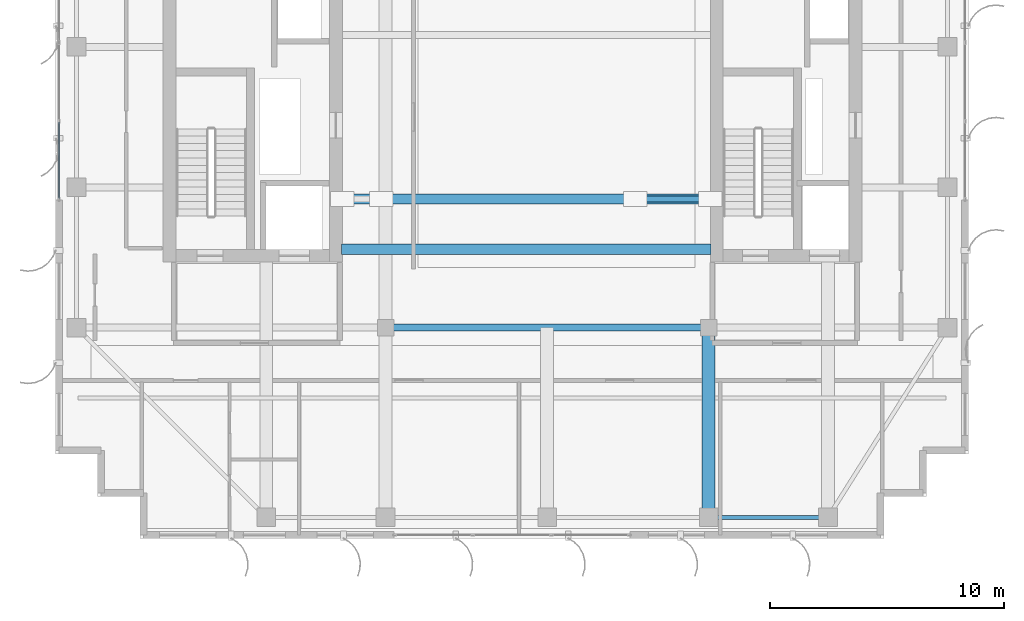
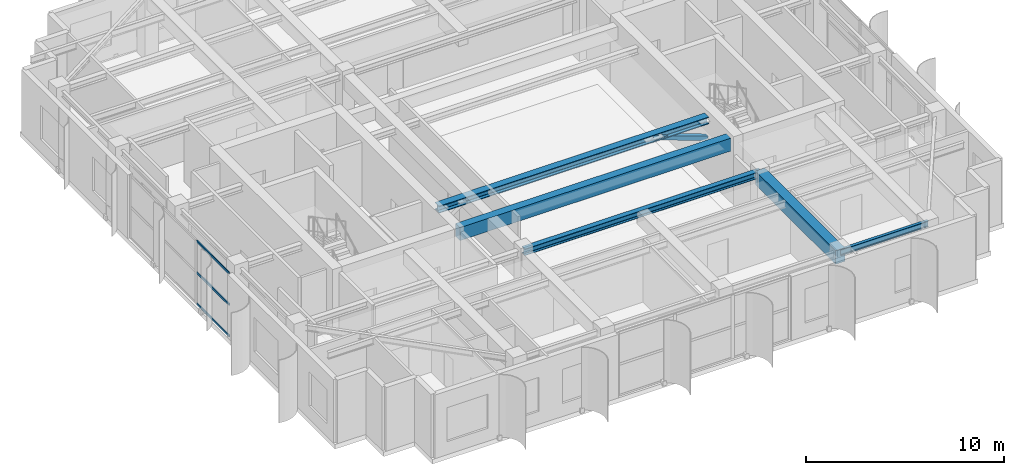
# One storey, part 7 of 26: 5 members, 4 beams, 1 element without a shape of its own.
"""IFC4 building model written with IfcOpenShell, lengths in metres."""

from ifc_helpers import new_model, si_unit, direction, frame, origin, origin_2d, place, context, subcontext, project, spatial, rectangle, hollow_rectangle, i_section, extrude, source, transform, mapped, material, layer, layer_set, material_profile, profile_set, type_object, element, aggregate, save


model = new_model("IFC4")

# Units and contexts
model_context = context("Model", 3, precision=1e-05, world=origin(), true_north=direction((0.0, 1.0)))
body_context = subcontext(model_context, "Body", "Model", "MODEL_VIEW")
ifc_project = project(units=[si_unit("LENGTHUNIT", "METRE"), si_unit("AREAUNIT", "SQUARE_METRE"), si_unit("VOLUMEUNIT", "CUBIC_METRE"), si_unit("PLANEANGLEUNIT", "RADIAN"), si_unit("MASSUNIT", "GRAM", prefix="KILO")], contexts=[model_context])

# Site, building, storey
site_placement = place(None, origin())
site = spatial("IfcSite", under=ifc_project, at=site_placement, CompositionType="ELEMENT")
building_placement = place(site_placement, origin())
building = spatial("IfcBuilding", under=site, at=building_placement, Name="Khoralis Quay Care Tower", CompositionType="ELEMENT")
storey_placement = place(building_placement, frame((0.0, 0.0, 289.5)))
storey = spatial("IfcBuildingStorey", under=building, at=storey_placement, Name="L76", CompositionType="ELEMENT", Elevation=289.5)

# Beams
ifc_material_1 = material(Name="Concrete C50/60", Category="concrete")
ifc_material_profile_1 = material_profile(ifc_material_1, rectangle(XDim=0.449951171875, YDim=0.800048828125, at=origin_2d()), Name="Concrete C50/60")
ifc_profile_set_1 = profile_set([ifc_material_profile_1], Name="Concrete C50/60")
beam_type_1 = type_object("IfcBeamType", Name="CB-RC450X800", PredefinedType="LINTEL", material=ifc_profile_set_1)
shared_shape_1 = source(origin(), body_context, "Body", "SweptSolid", [
    extrude(rectangle(XDim=0.449951171875, YDim=0.800048828125, at=origin_2d()), origin(), (0.0, 0.0, 1.0), 15.780029296875),
])
beam_1_placement = place(storey_placement, frame((15.219970703125, 15.35009765625, 3.52001953125), z_axis=(1.0, 0.0, 0.0), x_axis=(0.0, 1.0, 0.0)))
element("IfcBeam", 1, at=beam_1_placement, inside=storey, type_object=beam_type_1, Name="L76 South Core Coupling Lintel", PredefinedType="LINTEL", context=body_context, shape_type="MappedRepresentation", body=[
    mapped(shared_shape_1, transform((0.0, 0.0, 0.0), scale=1.0)),
])
ifc_material_2 = material(Name="Steel S355", Category="steel")
ifc_material_profile_2 = material_profile(ifc_material_2, i_section(OverallWidth=0.169921875, OverallDepth=0.360107421875, WebThickness=0.008056640625, FlangeThickness=0.0126953125, FilletRadius=0.01806640625, at=origin_2d()), Name="Steel S355")
ifc_profile_set_2 = profile_set([ifc_material_profile_2], Name="Steel S355")
beam_type_2 = type_object("IfcBeamType", Name="BM-IPE360", PredefinedType="SPANDREL", material=ifc_profile_set_2)
shared_shape_2 = source(origin(), body_context, "Body", "SweptSolid", [
    extrude(i_section(OverallWidth=0.169921875, OverallDepth=0.360107421875, WebThickness=0.008056640625, FlangeThickness=0.0126953125, FilletRadius=0.01806640625, at=origin_2d()), origin(), (0.0, 0.0, 1.0), 5.10009765625),
])
beam_2_placement = place(storey_placement, frame((30.89990234375, 3.89990234375, 3.739990234375), z_axis=(1.0, 0.0, 0.0), x_axis=(0.0, 1.0, 0.0)))
element("IfcBeam", 2, at=beam_2_placement, inside=storey, type_object=beam_type_2, Name="BM-TSP-L76-04", PredefinedType="SPANDREL", context=body_context, shape_type="MappedRepresentation", body=[
    mapped(shared_shape_2, transform((0.0, 0.0, 0.0), scale=1.0)),
])
ifc_material_profile_3 = material_profile(ifc_material_1, rectangle(XDim=0.550048828125, YDim=0.85009765625, at=origin_2d()), Name="Concrete C50/60")
ifc_profile_set_3 = profile_set([ifc_material_profile_3], Name="Concrete C50/60")
beam_type_3 = type_object("IfcBeamType", Name="BM-RC550X850", PredefinedType="BEAM", material=ifc_profile_set_3)
shared_shape_3 = source(origin(), body_context, "Body", "SweptSolid", [
    extrude(rectangle(XDim=0.550048828125, YDim=0.85009765625, at=origin_2d()), origin(), (0.0, 0.0, 1.0), 8.10009765625),
])
beam_3_placement = place(storey_placement, frame((30.89990234375, 3.89990234375, 3.4951171875), z_axis=(0.0, 1.0, 0.0), x_axis=(-1.0, 0.0, 0.0)))
element("IfcBeam", 3, at=beam_3_placement, inside=storey, type_object=beam_type_3, Name="BM-TGYS-L76-309", PredefinedType="BEAM", context=body_context, shape_type="MappedRepresentation", body=[
    mapped(shared_shape_3, transform((0.0, 0.0, 0.0), scale=1.0)),
])
ifc_material_profile_4 = material_profile(ifc_material_2, i_section(OverallWidth=0.300048828125, OverallDepth=0.39990234375, WebThickness=0.013427734375, FlangeThickness=0.02392578125, FilletRadius=0.027099609375, at=origin_2d()), Name="Steel S355")
ifc_profile_set_4 = profile_set([ifc_material_profile_4], Name="Steel S355")
beam_type_4 = type_object("IfcBeamType", Name="BM-HEB400", PredefinedType="BEAM", material=ifc_profile_set_4)
shared_shape_4 = source(origin(), body_context, "Body", "SweptSolid", [
    extrude(i_section(OverallWidth=0.300048828125, OverallDepth=0.39990234375, WebThickness=0.013427734375, FlangeThickness=0.02392578125, FilletRadius=0.027099609375, at=origin_2d()), origin(), (0.0, 0.0, 1.0), 13.7998046875),
])
beam_4_placement = place(storey_placement, frame((17.10009765625, 12.0, 3.719970703125), z_axis=(1.0, 0.0, 0.0), x_axis=(0.0, 1.0, 0.0)))
element("IfcBeam", 4, at=beam_4_placement, inside=storey, type_object=beam_type_4, Name="BM-TGCC-L76-120", PredefinedType="BEAM", context=body_context, shape_type="MappedRepresentation", body=[
    mapped(shared_shape_4, transform((0.0, 0.0, 0.0), scale=1.0)),
])

# Members
ifc_material_3 = material(Name="Steel S460", Category="steel")
ifc_material_profile_5 = material_profile(ifc_material_3, i_section(OverallWidth=0.412109375, OverallDepth=0.43505859375, WebThickness=0.030029296875, FlangeThickness=0.0419921875, FilletRadius=0.014892578125, at=origin_2d()), Name="Steel S460")
ifc_profile_set_5 = profile_set([ifc_material_profile_5], Name="Steel S460")
member_type_1 = type_object("IfcMemberType", Name="CH-HD400X463", PredefinedType="CHORD", material=ifc_profile_set_5)
shared_shape_5 = source(origin(), body_context, "Body", "SweptSolid", [
    extrude(i_section(OverallWidth=0.412109375, OverallDepth=0.43505859375, WebThickness=0.030029296875, FlangeThickness=0.0419921875, FilletRadius=0.014892578125, at=origin_2d()), origin(), (0.0, 0.0, 1.0), 15.723876953125),
])
member_1_placement = place(storey_placement, frame((15.248046875, 17.5, 3.699951171875), z_axis=(1.0, 0.0, 0.0), x_axis=(0.0, 1.0, 0.0)))
element("IfcMember", 5, at=member_1_placement, inside=storey, type_object=member_type_1, Name="L76 Sky Pool Space Truss Chord 1", PredefinedType="CHORD", context=body_context, shape_type="MappedRepresentation", body=[
    mapped(shared_shape_5, transform((0.0, 0.0, 0.0), scale=1.0)),
])
ifc_material_profile_6 = material_profile(ifc_material_2, hollow_rectangle(XDim=0.25, YDim=0.25, WallThickness=0.012451171875, at=origin_2d()), Name="Steel S355")
ifc_profile_set_6 = profile_set([ifc_material_profile_6], Name="Steel S355")
member_type_2 = type_object("IfcMemberType", Name="BR-RHS250X250X12", PredefinedType="BRACE", material=ifc_profile_set_6)
shared_shape_6 = source(origin(), body_context, "Body", "SweptSolid", [
    extrude(hollow_rectangle(XDim=0.25, YDim=0.25, WallThickness=0.012451171875, at=origin_2d()), origin(), (0.0, 0.0, 1.0), 3.38623046875),
])
member_2_placement = place(storey_placement, frame((30.95703125, 17.5, 2.550048828125), z_axis=(-0.940578208508, 0.0, 0.339577139512), x_axis=(0.0, -1.0, 0.0)))
element("IfcMember", 6, at=member_2_placement, inside=storey, type_object=member_type_2, Name="L76 Sky Pool Space Truss Diagonal 2", PredefinedType="BRACE", context=body_context, shape_type="MappedRepresentation", body=[
    mapped(shared_shape_6, transform((0.0, 0.0, 0.0), scale=1.0)),
])

# Curtain wall, members
ifc_material_4 = material(Name="Pale anodised aluminium", Category="aluminium")
ifc_layer = layer(ifc_material_4, 0.159912109375)
ifc_layer_set = layer_set([ifc_layer], Name="Pale anodised aluminium")
curtain_wall_type = type_object("IfcCurtainWallType", Name="CW-SYS-Z3", PredefinedType="NOTDEFINED", material=ifc_layer_set)
curtain_wall_placement = place(storey_placement, origin())
curtain_wall = element("IfcCurtainWall", 7, at=curtain_wall_placement, inside=storey, type_object=curtain_wall_type, Name="L76 Unitised Curtain Wall CW-L76-P1-E15", PredefinedType="NOTDEFINED")
ifc_material_profile_7 = material_profile(ifc_material_4, hollow_rectangle(XDim=0.06005859375, YDim=0.139892578125, WallThickness=0.00390625, at=origin_2d()), Name="Pale anodised aluminium")
ifc_profile_set_7 = profile_set([ifc_material_profile_7], Name="Pale anodised aluminium")
member_type_3 = type_object("IfcMemberType", Name="CW-TRN-140", PredefinedType="USERDEFINED", material=ifc_profile_set_7)
shared_shape_7 = source(origin(), body_context, "Body", "SweptSolid", [
    extrude(hollow_rectangle(XDim=0.06005859375, YDim=0.139892578125, WallThickness=0.00390625, at=origin_2d()), origin(), (0.0, 0.0, 1.0), 3.27001953125),
])
member_3_placement = place(storey_placement, frame((3.14990234375, 20.7900390625, 0.030029296875), z_axis=(0.0, -1.0, 0.0), x_axis=(1.0, 0.0, 0.0)))
member_3 = element("IfcMember", 8, at=member_3_placement, type_object=member_type_3, Name="CW3 transom 3.1", ObjectType="TRANSOM", PredefinedType="USERDEFINED", context=body_context, shape_type="MappedRepresentation", body=[
    mapped(shared_shape_7, transform((0.0, 0.0, 0.0), scale=1.0)),
])
member_4_placement = place(storey_placement, frame((3.14990234375, 20.7900390625, 1.9599609375), z_axis=(0.0, -1.0, 0.0), x_axis=(1.0, 0.0, 0.0)))
member_4 = element("IfcMember", 9, at=member_4_placement, type_object=member_type_3, Name="CW3 transom 3.2", ObjectType="TRANSOM", PredefinedType="USERDEFINED", context=body_context, shape_type="MappedRepresentation", body=[
    mapped(shared_shape_7, transform((0.0, 0.0, 0.0), scale=1.0)),
])
member_5_placement = place(storey_placement, frame((3.14990234375, 20.7900390625, 3.889892578125), z_axis=(0.0, -1.0, 0.0), x_axis=(1.0, 0.0, 0.0)))
member_5 = element("IfcMember", 10, at=member_5_placement, type_object=member_type_3, Name="CW3 transom 3.3", ObjectType="TRANSOM", PredefinedType="USERDEFINED", context=body_context, shape_type="MappedRepresentation", body=[
    mapped(shared_shape_7, transform((0.0, 0.0, 0.0), scale=1.0)),
])
aggregate(curtain_wall, [member_3, member_4, member_5])

save(model, "model.ifc")
